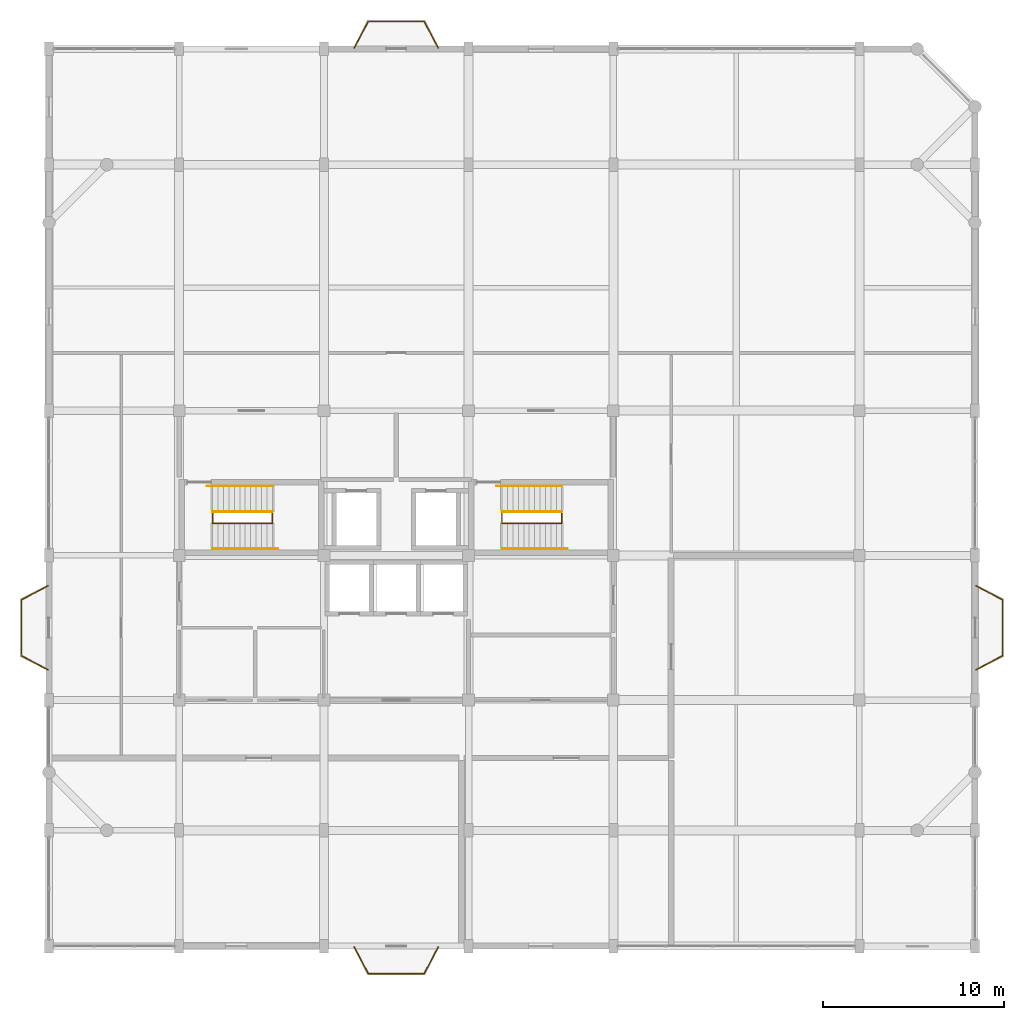
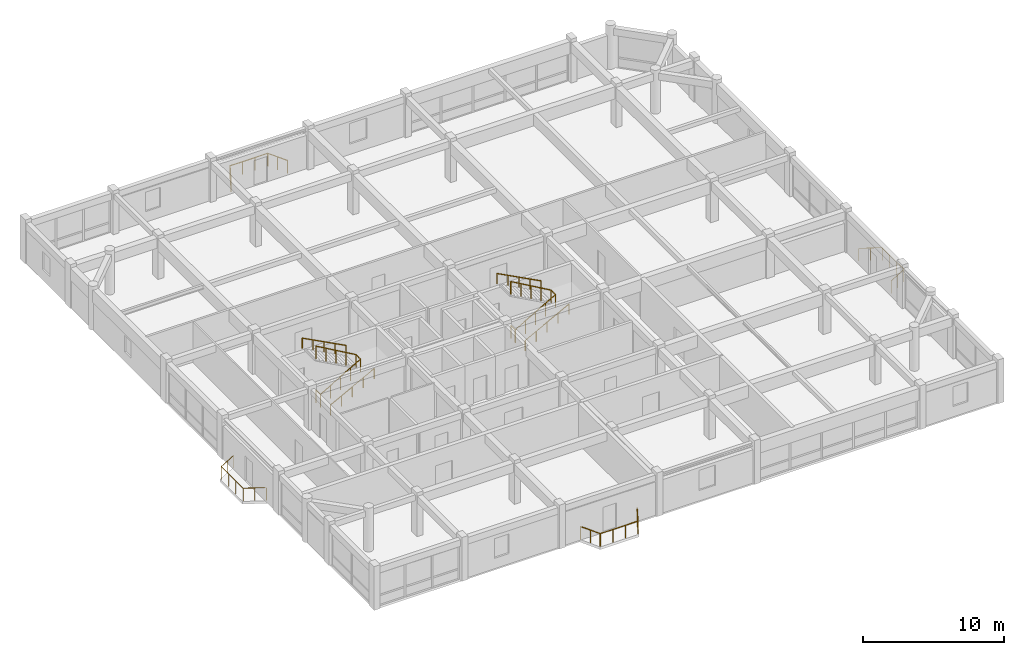
# One storey, part 13 of 13: 12 railings.
"""IFC4 building model written with IfcOpenShell, lengths in metres."""

from ifc_helpers import new_model, si_unit, direction, frame, origin, origin_2d, place, context, subcontext, project, spatial, circle, extrude, material, type_object, element, save


model = new_model("IFC4")

# Units and contexts
model_context = context("Model", 3, precision=1e-05, world=origin(), true_north=direction((0.0, 1.0)))
body_context = subcontext(model_context, "Body", "Model", "MODEL_VIEW")
ifc_project = project(units=[si_unit("LENGTHUNIT", "METRE"), si_unit("AREAUNIT", "SQUARE_METRE"), si_unit("VOLUMEUNIT", "CUBIC_METRE"), si_unit("PLANEANGLEUNIT", "RADIAN"), si_unit("MASSUNIT", "GRAM", prefix="KILO")], contexts=[model_context])

# Site, building, storey
site_placement = place(None, origin())
site = spatial("IfcSite", under=ifc_project, at=site_placement, CompositionType="ELEMENT")
building_placement = place(site_placement, origin())
building = spatial("IfcBuilding", under=site, at=building_placement, Name="Vellmiral Cinema and Media Centre", CompositionType="ELEMENT")
storey_placement = place(building_placement, frame((0.0, 0.0, 43.300048828125)))
storey = spatial("IfcBuildingStorey", under=building, at=storey_placement, Name="L10", CompositionType="ELEMENT", Elevation=43.300048828125)

# Railings
ifc_material_1 = material(Name="Forged Wrought-Iron Mirador Guardrail", Category="steel")
railing_type_1 = type_object("IfcRailingType", Name="RL-BAL-MIRA-1120", PredefinedType="BALUSTRADE", material=ifc_material_1)
railing_1_placement = place(storey_placement, frame((168.050048828125, 80.8798828125, 0.0)))
element("IfcRailing", 1, at=railing_1_placement, inside=storey, type_object=railing_type_1, Name="Mirador Balcony Guardrail L10-E", PredefinedType="BALUSTRADE", context=body_context, shape_type="SweptSolid", body=[
    extrude(circle(Radius=0.02392578125, at=origin_2d()), frame((0.0, 0.0, 1.09619140625), z_axis=(0.885822896277, 0.464023486939, 0.0), x_axis=(-0.464023486939, 0.885822896277, 0.0)), (0.0, 0.0, 1.0), 1.659423828125),
    extrude(circle(Radius=0.02392578125, at=origin_2d()), frame((1.469970703125, 0.77001953125, 1.09619140625), z_axis=(0.0, 1.0, 0.0), x_axis=(-1.0, 0.0, 0.0)), (0.0, 0.0, 1.0), 3.10009765625),
    extrude(circle(Radius=0.02392578125, at=origin_2d()), frame((1.469970703125, 3.8701171875, 1.09619140625), z_axis=(-0.885822896277, 0.464023486939, 0.0), x_axis=(-0.464023486939, -0.885822896277, 0.0)), (0.0, 0.0, 1.0), 1.659423828125),
    extrude(circle(Radius=0.02099609375, at=origin_2d()), origin(), (0.0, 0.0, 1.0), 1.072021484375),
    extrude(circle(Radius=0.02099609375, at=origin_2d()), frame((0.73486328125, 0.385009765625, 0.0)), (0.0, 0.0, 1.0), 1.072021484375),
    extrude(circle(Radius=0.02099609375, at=origin_2d()), frame((1.469970703125, 0.77001953125, 0.0)), (0.0, 0.0, 1.0), 1.072021484375),
    extrude(circle(Radius=0.02099609375, at=origin_2d()), frame((1.469970703125, 1.803466796875, 0.0)), (0.0, 0.0, 1.0), 1.072021484375),
    extrude(circle(Radius=0.02099609375, at=origin_2d()), frame((1.469970703125, 2.836669921875, 0.0)), (0.0, 0.0, 1.0), 1.072021484375),
    extrude(circle(Radius=0.02099609375, at=origin_2d()), frame((1.469970703125, 3.8701171875, 0.0)), (0.0, 0.0, 1.0), 1.072021484375),
    extrude(circle(Radius=0.02099609375, at=origin_2d()), frame((0.73486328125, 4.255126953125, 0.0)), (0.0, 0.0, 1.0), 1.072021484375),
    extrude(circle(Radius=0.02099609375, at=origin_2d()), frame((0.0, 4.64013671875, 0.0)), (0.0, 0.0, 1.0), 1.072021484375),
])
railing_2_placement = place(storey_placement, frame((138.320068359375, 115.25, 0.0)))
element("IfcRailing", 2, at=railing_2_placement, inside=storey, type_object=railing_type_1, Name="Mirador Balcony Guardrail L10-N", PredefinedType="BALUSTRADE", context=body_context, shape_type="SweptSolid", body=[
    extrude(circle(Radius=0.02392578125, at=origin_2d()), frame((0.0, 0.0, 1.09619140625), z_axis=(-0.464023486939, 0.885822896277, 0.0), x_axis=(-0.885822896277, -0.464023486939, 0.0)), (0.0, 0.0, 1.0), 1.659423828125),
    extrude(circle(Radius=0.02392578125, at=origin_2d()), frame((-0.77001953125, 1.469970703125, 1.09619140625), z_axis=(-1.0, 0.0, 0.0), x_axis=(0.0, -1.0, 0.0)), (0.0, 0.0, 1.0), 3.10009765625),
    extrude(circle(Radius=0.02392578125, at=origin_2d()), frame((-3.8701171875, 1.469970703125, 1.09619140625), z_axis=(-0.464023486939, -0.885822896277, 0.0), x_axis=(0.885822896277, -0.464023486939, 0.0)), (0.0, 0.0, 1.0), 1.659423828125),
    extrude(circle(Radius=0.02099609375, at=origin_2d()), origin(), (0.0, 0.0, 1.0), 1.072021484375),
    extrude(circle(Radius=0.02099609375, at=origin_2d()), frame((-0.385009765625, 0.73486328125, 0.0)), (0.0, 0.0, 1.0), 1.072021484375),
    extrude(circle(Radius=0.02099609375, at=origin_2d()), frame((-0.77001953125, 1.469970703125, 0.0)), (0.0, 0.0, 1.0), 1.072021484375),
    extrude(circle(Radius=0.02099609375, at=origin_2d()), frame((-1.803466796875, 1.469970703125, 0.0)), (0.0, 0.0, 1.0), 1.072021484375),
    extrude(circle(Radius=0.02099609375, at=origin_2d()), frame((-2.836669921875, 1.469970703125, 0.0)), (0.0, 0.0, 1.0), 1.072021484375),
    extrude(circle(Radius=0.02099609375, at=origin_2d()), frame((-3.8701171875, 1.469970703125, 0.0)), (0.0, 0.0, 1.0), 1.072021484375),
    extrude(circle(Radius=0.02099609375, at=origin_2d()), frame((-4.255126953125, 0.73486328125, 0.0)), (0.0, 0.0, 1.0), 1.072021484375),
    extrude(circle(Radius=0.02099609375, at=origin_2d()), frame((-4.64013671875, 0.0, 0.0)), (0.0, 0.0, 1.0), 1.072021484375),
])
railing_3_placement = place(storey_placement, frame((116.75, 85.52001953125, 0.0)))
element("IfcRailing", 3, at=railing_3_placement, inside=storey, type_object=railing_type_1, Name="Mirador Balcony Guardrail L10-W", PredefinedType="BALUSTRADE", context=body_context, shape_type="SweptSolid", body=[
    extrude(circle(Radius=0.02392578125, at=origin_2d()), frame((0.0, 0.0, 1.09619140625), z_axis=(-0.885822896277, -0.464023486939, 0.0), x_axis=(0.464023486939, -0.885822896277, 0.0)), (0.0, 0.0, 1.0), 1.659423828125),
    extrude(circle(Radius=0.02392578125, at=origin_2d()), frame((-1.469970703125, -0.77001953125, 1.09619140625), z_axis=(0.0, -1.0, 0.0), x_axis=(1.0, 0.0, 0.0)), (0.0, 0.0, 1.0), 3.10009765625),
    extrude(circle(Radius=0.02392578125, at=origin_2d()), frame((-1.469970703125, -3.8701171875, 1.09619140625), z_axis=(0.885822896277, -0.464023486939, 0.0), x_axis=(0.464023486939, 0.885822896277, 0.0)), (0.0, 0.0, 1.0), 1.659423828125),
    extrude(circle(Radius=0.02099609375, at=origin_2d()), origin(), (0.0, 0.0, 1.0), 1.072021484375),
    extrude(circle(Radius=0.02099609375, at=origin_2d()), frame((-0.73486328125, -0.385009765625, 0.0)), (0.0, 0.0, 1.0), 1.072021484375),
    extrude(circle(Radius=0.02099609375, at=origin_2d()), frame((-1.469970703125, -0.77001953125, 0.0)), (0.0, 0.0, 1.0), 1.072021484375),
    extrude(circle(Radius=0.02099609375, at=origin_2d()), frame((-1.469970703125, -1.803466796875, 0.0)), (0.0, 0.0, 1.0), 1.072021484375),
    extrude(circle(Radius=0.02099609375, at=origin_2d()), frame((-1.469970703125, -2.836669921875, 0.0)), (0.0, 0.0, 1.0), 1.072021484375),
    extrude(circle(Radius=0.02099609375, at=origin_2d()), frame((-1.469970703125, -3.8701171875, 0.0)), (0.0, 0.0, 1.0), 1.072021484375),
    extrude(circle(Radius=0.02099609375, at=origin_2d()), frame((-0.73486328125, -4.255126953125, 0.0)), (0.0, 0.0, 1.0), 1.072021484375),
    extrude(circle(Radius=0.02099609375, at=origin_2d()), frame((0.0, -4.64013671875, 0.0)), (0.0, 0.0, 1.0), 1.072021484375),
])
railing_4_placement = place(storey_placement, frame((133.679931640625, 65.550048828125, 0.0)))
element("IfcRailing", 4, at=railing_4_placement, inside=storey, type_object=railing_type_1, Name="Mirador Balcony Guardrail L10-S", PredefinedType="BALUSTRADE", context=body_context, shape_type="SweptSolid", body=[
    extrude(circle(Radius=0.02392578125, at=origin_2d()), frame((0.0, 0.0, 1.09619140625), z_axis=(0.464023486939, -0.885822896277, 0.0), x_axis=(0.885822896277, 0.464023486939, 0.0)), (0.0, 0.0, 1.0), 1.659423828125),
    extrude(circle(Radius=0.02392578125, at=origin_2d()), frame((0.77001953125, -1.469970703125, 1.09619140625), z_axis=(1.0, 0.0, 0.0), x_axis=(0.0, 1.0, 0.0)), (0.0, 0.0, 1.0), 3.10009765625),
    extrude(circle(Radius=0.02392578125, at=origin_2d()), frame((3.8701171875, -1.469970703125, 1.09619140625), z_axis=(0.464023486939, 0.885822896277, 0.0), x_axis=(-0.885822896277, 0.464023486939, 0.0)), (0.0, 0.0, 1.0), 1.659423828125),
    extrude(circle(Radius=0.02099609375, at=origin_2d()), origin(), (0.0, 0.0, 1.0), 1.072021484375),
    extrude(circle(Radius=0.02099609375, at=origin_2d()), frame((0.385009765625, -0.73486328125, 0.0)), (0.0, 0.0, 1.0), 1.072021484375),
    extrude(circle(Radius=0.02099609375, at=origin_2d()), frame((0.77001953125, -1.469970703125, 0.0)), (0.0, 0.0, 1.0), 1.072021484375),
    extrude(circle(Radius=0.02099609375, at=origin_2d()), frame((1.803466796875, -1.469970703125, 0.0)), (0.0, 0.0, 1.0), 1.072021484375),
    extrude(circle(Radius=0.02099609375, at=origin_2d()), frame((2.836669921875, -1.469970703125, 0.0)), (0.0, 0.0, 1.0), 1.072021484375),
    extrude(circle(Radius=0.02099609375, at=origin_2d()), frame((3.8701171875, -1.469970703125, 0.0)), (0.0, 0.0, 1.0), 1.072021484375),
    extrude(circle(Radius=0.02099609375, at=origin_2d()), frame((4.255126953125, -0.73486328125, 0.0)), (0.0, 0.0, 1.0), 1.072021484375),
    extrude(circle(Radius=0.02099609375, at=origin_2d()), frame((4.64013671875, 0.0, 0.0)), (0.0, 0.0, 1.0), 1.072021484375),
])
ifc_material_2 = material(Name="Brushed Stainless Steel Handrail", Category="steel")
railing_type_2 = type_object("IfcRailingType", Name="RL-HANDRAIL-900", PredefinedType="HANDRAIL", material=ifc_material_2)
railing_5_placement = place(storey_placement, frame((125.85009765625, 87.56005859375, 0.158203125)))
element("IfcRailing", 5, at=railing_5_placement, inside=storey, type_object=railing_type_2, Name="Stair Wall Handrail ST-T1 L10-1", PredefinedType="HANDRAIL", context=body_context, shape_type="SweptSolid", body=[
    extrude(circle(Radius=0.02392578125, at=origin_2d()), frame((0.0, 0.0, 0.8759765625), z_axis=(0.884362056793, 0.0, 0.466801620076), x_axis=(0.0, 1.0, 0.0)), (0.0, 0.0, 1.0), 4.070556640625),
    extrude(circle(Radius=0.02099609375, at=origin_2d()), origin(), (0.0, 0.0, 1.0), 0.851806640625),
    extrude(circle(Radius=0.02099609375, at=origin_2d()), frame((0.89990234375, 0.0, 0.47509765625)), (0.0, 0.0, 1.0), 0.851806640625),
    extrude(circle(Radius=0.02099609375, at=origin_2d()), frame((1.7998046875, 0.0, 0.9501953125)), (0.0, 0.0, 1.0), 0.851806640625),
    extrude(circle(Radius=0.02099609375, at=origin_2d()), frame((2.699951171875, 0.0, 1.425048828125)), (0.0, 0.0, 1.0), 0.851806640625),
    extrude(circle(Radius=0.02099609375, at=origin_2d()), frame((3.599853515625, 0.0, 1.900146484375)), (0.0, 0.0, 1.0), 0.851806640625),
])
railing_6_placement = place(storey_placement, frame((129.14990234375, 91.0400390625, 2.058349609375)))
element("IfcRailing", 6, at=railing_6_placement, inside=storey, type_object=railing_type_2, Name="Stair Wall Handrail ST-T1 L10-2", PredefinedType="HANDRAIL", context=body_context, shape_type="SweptSolid", body=[
    extrude(circle(Radius=0.02392578125, at=origin_2d()), frame((0.0, 0.0, 0.8759765625), z_axis=(-0.884386816079, 0.0, 0.466754710256), x_axis=(0.0, -1.0, 0.0)), (0.0, 0.0, 1.0), 4.070556640625),
    extrude(circle(Radius=0.02099609375, at=origin_2d()), origin(), (0.0, 0.0, 1.0), 0.851806640625),
    extrude(circle(Radius=0.02099609375, at=origin_2d()), frame((-0.89990234375, 0.0, 0.47509765625)), (0.0, 0.0, 1.0), 0.851806640625),
    extrude(circle(Radius=0.02099609375, at=origin_2d()), frame((-1.7998046875, 0.0, 0.949951171875)), (0.0, 0.0, 1.0), 0.851806640625),
    extrude(circle(Radius=0.02099609375, at=origin_2d()), frame((-2.699951171875, 0.0, 1.4248046875)), (0.0, 0.0, 1.0), 0.851806640625),
    extrude(circle(Radius=0.02099609375, at=origin_2d()), frame((-3.599853515625, 0.0, 1.89990234375)), (0.0, 0.0, 1.0), 0.851806640625),
])
railing_7_placement = place(storey_placement, frame((141.85009765625, 87.56005859375, 0.158203125)))
element("IfcRailing", 7, at=railing_7_placement, inside=storey, type_object=railing_type_2, Name="Stair Wall Handrail ST-T2 L10-1", PredefinedType="HANDRAIL", context=body_context, shape_type="SweptSolid", body=[
    extrude(circle(Radius=0.02392578125, at=origin_2d()), frame((0.0, 0.0, 0.8759765625), z_axis=(0.884362056793, 0.0, 0.466801620076), x_axis=(0.0, 1.0, 0.0)), (0.0, 0.0, 1.0), 4.070556640625),
    extrude(circle(Radius=0.02099609375, at=origin_2d()), origin(), (0.0, 0.0, 1.0), 0.851806640625),
    extrude(circle(Radius=0.02099609375, at=origin_2d()), frame((0.89990234375, 0.0, 0.47509765625)), (0.0, 0.0, 1.0), 0.851806640625),
    extrude(circle(Radius=0.02099609375, at=origin_2d()), frame((1.7998046875, 0.0, 0.9501953125)), (0.0, 0.0, 1.0), 0.851806640625),
    extrude(circle(Radius=0.02099609375, at=origin_2d()), frame((2.699951171875, 0.0, 1.425048828125)), (0.0, 0.0, 1.0), 0.851806640625),
    extrude(circle(Radius=0.02099609375, at=origin_2d()), frame((3.599853515625, 0.0, 1.900146484375)), (0.0, 0.0, 1.0), 0.851806640625),
])
railing_8_placement = place(storey_placement, frame((145.14990234375, 91.0400390625, 2.058349609375)))
element("IfcRailing", 8, at=railing_8_placement, inside=storey, type_object=railing_type_2, Name="Stair Wall Handrail ST-T2 L10-2", PredefinedType="HANDRAIL", context=body_context, shape_type="SweptSolid", body=[
    extrude(circle(Radius=0.02392578125, at=origin_2d()), frame((0.0, 0.0, 0.8759765625), z_axis=(-0.884386816079, 0.0, 0.466754710256), x_axis=(0.0, -1.0, 0.0)), (0.0, 0.0, 1.0), 4.070556640625),
    extrude(circle(Radius=0.02099609375, at=origin_2d()), origin(), (0.0, 0.0, 1.0), 0.851806640625),
    extrude(circle(Radius=0.02099609375, at=origin_2d()), frame((-0.89990234375, 0.0, 0.47509765625)), (0.0, 0.0, 1.0), 0.851806640625),
    extrude(circle(Radius=0.02099609375, at=origin_2d()), frame((-1.7998046875, 0.0, 0.949951171875)), (0.0, 0.0, 1.0), 0.851806640625),
    extrude(circle(Radius=0.02099609375, at=origin_2d()), frame((-2.699951171875, 0.0, 1.4248046875)), (0.0, 0.0, 1.0), 0.851806640625),
    extrude(circle(Radius=0.02099609375, at=origin_2d()), frame((-3.599853515625, 0.0, 1.89990234375)), (0.0, 0.0, 1.0), 0.851806640625),
])
ifc_material_3 = material(Name="Painted Steel Stair Guardrail", Category="steel")
railing_type_3 = type_object("IfcRailingType", Name="RL-STAIR-GUARD-1120", PredefinedType="GUARDRAIL", material=ifc_material_3)
railing_9_placement = place(storey_placement, frame((125.85009765625, 89.580078125, 0.0)))
element("IfcRailing", 9, at=railing_9_placement, inside=storey, type_object=railing_type_3, Name="Stair Well Guard ST-T1 L10-A", PredefinedType="GUARDRAIL", context=body_context, shape_type="SweptSolid", body=[
    extrude(circle(Radius=0.02392578125, at=origin_2d()), frame((0.0, 0.0, 1.09619140625), z_axis=(0.0, -1.0, 0.0), x_axis=(1.0, 0.0, 0.0)), (0.0, 0.0, 1.0), 0.60009765625),
    extrude(circle(Radius=0.02392578125, at=origin_2d()), frame((0.0, -0.60009765625, 1.09619140625), z_axis=(0.866620776532, 0.0, 0.498967363345), x_axis=(0.0, 1.0, 0.0)), (0.0, 0.0, 1.0), 3.8076171875),
    extrude(circle(Radius=0.02392578125, at=origin_2d()), frame((3.2998046875, -0.60009765625, 2.99609375), z_axis=(0.0, 1.0, 0.0), x_axis=(-1.0, 0.0, 0.0)), (0.0, 0.0, 1.0), 0.64013671875),
    extrude(circle(Radius=0.02099609375, at=origin_2d()), origin(), (0.0, 0.0, 1.0), 1.072021484375),
    extrude(circle(Radius=0.02099609375, at=origin_2d()), frame((0.0, -0.60009765625, 0.0)), (0.0, 0.0, 1.0), 1.072021484375),
    extrude(circle(Radius=0.02099609375, at=origin_2d()), frame((0.824951171875, -0.60009765625, 0.47509765625)), (0.0, 0.0, 1.0), 1.072021484375),
    extrude(circle(Radius=0.02099609375, at=origin_2d()), frame((1.64990234375, -0.60009765625, 0.949951171875)), (0.0, 0.0, 1.0), 1.072021484375),
    extrude(circle(Radius=0.02099609375, at=origin_2d()), frame((2.474853515625, -0.60009765625, 1.4248046875)), (0.0, 0.0, 1.0), 1.072021484375),
    extrude(circle(Radius=0.02099609375, at=origin_2d()), frame((3.2998046875, -0.60009765625, 1.89990234375)), (0.0, 0.0, 1.0), 1.072021484375),
    extrude(circle(Radius=0.02099609375, at=origin_2d()), frame((3.2998046875, 0.0400390625, 1.89990234375)), (0.0, 0.0, 1.0), 1.072021484375),
])
railing_10_placement = place(storey_placement, frame((129.14990234375, 89.6201171875, 1.89990234375)))
element("IfcRailing", 10, at=railing_10_placement, inside=storey, type_object=railing_type_3, Name="Stair Well Guard ST-T1 L10-B", PredefinedType="GUARDRAIL", context=body_context, shape_type="SweptSolid", body=[
    extrude(circle(Radius=0.02392578125, at=origin_2d()), frame((0.0, 0.0, 1.09619140625), z_axis=(-0.866593050405, 0.0, 0.499015515781), x_axis=(0.0, -1.0, 0.0)), (0.0, 0.0, 1.0), 3.807861328125),
    extrude(circle(Radius=0.02099609375, at=origin_2d()), origin(), (0.0, 0.0, 1.0), 1.072021484375),
    extrude(circle(Radius=0.02099609375, at=origin_2d()), frame((-0.824951171875, 0.0, 0.47509765625)), (0.0, 0.0, 1.0), 1.072021484375),
    extrude(circle(Radius=0.02099609375, at=origin_2d()), frame((-1.64990234375, 0.0, 0.9501953125)), (0.0, 0.0, 1.0), 1.072021484375),
    extrude(circle(Radius=0.02099609375, at=origin_2d()), frame((-2.474853515625, 0.0, 1.425048828125)), (0.0, 0.0, 1.0), 1.072021484375),
    extrude(circle(Radius=0.02099609375, at=origin_2d()), frame((-3.2998046875, 0.0, 1.900146484375)), (0.0, 0.0, 1.0), 1.072021484375),
])
railing_11_placement = place(storey_placement, frame((141.85009765625, 89.580078125, 0.0)))
element("IfcRailing", 11, at=railing_11_placement, inside=storey, type_object=railing_type_3, Name="Stair Well Guard ST-T2 L10-A", PredefinedType="GUARDRAIL", context=body_context, shape_type="SweptSolid", body=[
    extrude(circle(Radius=0.02392578125, at=origin_2d()), frame((0.0, 0.0, 1.09619140625), z_axis=(0.0, -1.0, 0.0), x_axis=(1.0, 0.0, 0.0)), (0.0, 0.0, 1.0), 0.60009765625),
    extrude(circle(Radius=0.02392578125, at=origin_2d()), frame((0.0, -0.60009765625, 1.09619140625), z_axis=(0.866620776532, 0.0, 0.498967363345), x_axis=(0.0, 1.0, 0.0)), (0.0, 0.0, 1.0), 3.8076171875),
    extrude(circle(Radius=0.02392578125, at=origin_2d()), frame((3.2998046875, -0.60009765625, 2.99609375), z_axis=(0.0, 1.0, 0.0), x_axis=(-1.0, 0.0, 0.0)), (0.0, 0.0, 1.0), 0.64013671875),
    extrude(circle(Radius=0.02099609375, at=origin_2d()), origin(), (0.0, 0.0, 1.0), 1.072021484375),
    extrude(circle(Radius=0.02099609375, at=origin_2d()), frame((0.0, -0.60009765625, 0.0)), (0.0, 0.0, 1.0), 1.072021484375),
    extrude(circle(Radius=0.02099609375, at=origin_2d()), frame((0.824951171875, -0.60009765625, 0.47509765625)), (0.0, 0.0, 1.0), 1.072021484375),
    extrude(circle(Radius=0.02099609375, at=origin_2d()), frame((1.64990234375, -0.60009765625, 0.949951171875)), (0.0, 0.0, 1.0), 1.072021484375),
    extrude(circle(Radius=0.02099609375, at=origin_2d()), frame((2.474853515625, -0.60009765625, 1.4248046875)), (0.0, 0.0, 1.0), 1.072021484375),
    extrude(circle(Radius=0.02099609375, at=origin_2d()), frame((3.2998046875, -0.60009765625, 1.89990234375)), (0.0, 0.0, 1.0), 1.072021484375),
    extrude(circle(Radius=0.02099609375, at=origin_2d()), frame((3.2998046875, 0.0400390625, 1.89990234375)), (0.0, 0.0, 1.0), 1.072021484375),
])
railing_12_placement = place(storey_placement, frame((145.14990234375, 89.6201171875, 1.89990234375)))
element("IfcRailing", 12, at=railing_12_placement, inside=storey, type_object=railing_type_3, Name="Stair Well Guard ST-T2 L10-B", PredefinedType="GUARDRAIL", context=body_context, shape_type="SweptSolid", body=[
    extrude(circle(Radius=0.02392578125, at=origin_2d()), frame((0.0, 0.0, 1.09619140625), z_axis=(-0.866593050405, 0.0, 0.499015515781), x_axis=(0.0, -1.0, 0.0)), (0.0, 0.0, 1.0), 3.807861328125),
    extrude(circle(Radius=0.02099609375, at=origin_2d()), origin(), (0.0, 0.0, 1.0), 1.072021484375),
    extrude(circle(Radius=0.02099609375, at=origin_2d()), frame((-0.824951171875, 0.0, 0.47509765625)), (0.0, 0.0, 1.0), 1.072021484375),
    extrude(circle(Radius=0.02099609375, at=origin_2d()), frame((-1.64990234375, 0.0, 0.9501953125)), (0.0, 0.0, 1.0), 1.072021484375),
    extrude(circle(Radius=0.02099609375, at=origin_2d()), frame((-2.474853515625, 0.0, 1.425048828125)), (0.0, 0.0, 1.0), 1.072021484375),
    extrude(circle(Radius=0.02099609375, at=origin_2d()), frame((-3.2998046875, 0.0, 1.900146484375)), (0.0, 0.0, 1.0), 1.072021484375),
])

save(model, "model.ifc")
